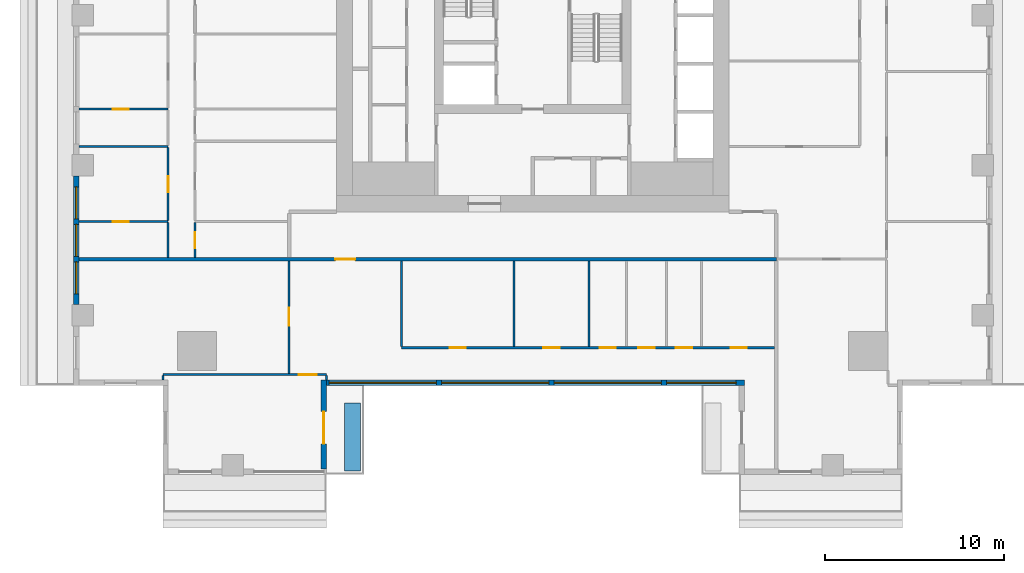
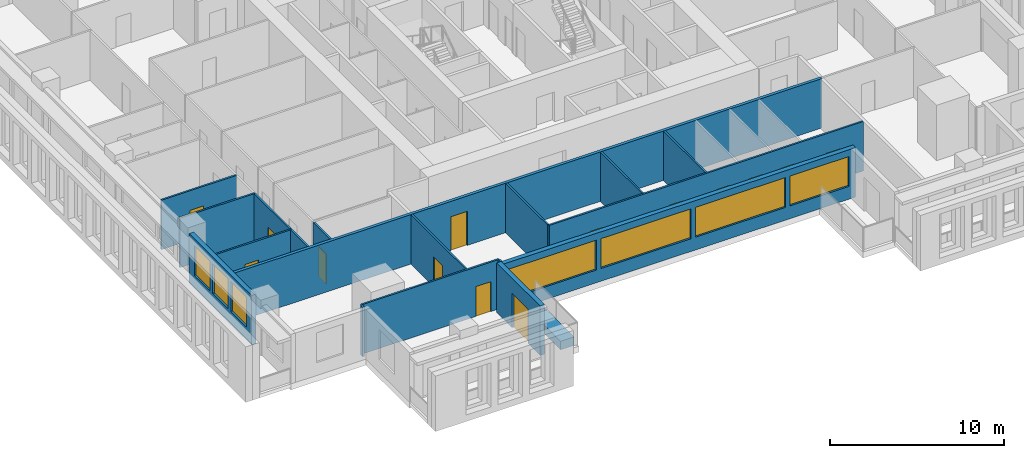
# One storey, part 2 of 14: 19 walls, 14 doors, 7 windows, 21 openings.
"""IFC4 building model written with IfcOpenShell, lengths in metres."""

from ifc_helpers import new_model, si_unit, direction, frame, frame_2d, origin, place, context, subcontext, project, spatial, rectangle, extrude, material, layer, layer_set, type_object, element, fill, save


model = new_model("IFC4")

# Units and contexts
model_context = context("Model", 3, precision=1e-05, world=origin(), true_north=direction((0.0, 1.0)))
body_context = subcontext(model_context, "Body", "Model", "MODEL_VIEW")
ifc_project = project(units=[si_unit("LENGTHUNIT", "METRE"), si_unit("AREAUNIT", "SQUARE_METRE"), si_unit("VOLUMEUNIT", "CUBIC_METRE"), si_unit("PLANEANGLEUNIT", "RADIAN"), si_unit("MASSUNIT", "GRAM", prefix="KILO")], contexts=[model_context])

# Site, building, storey
site_placement = place(None, origin())
site = spatial("IfcSite", under=ifc_project, at=site_placement, CompositionType="ELEMENT")
building_placement = place(site_placement, origin())
building = spatial("IfcBuilding", under=site, at=building_placement, Name="Khepri Terraces", CompositionType="ELEMENT")
storey_placement = place(building_placement, frame((0.0, 0.0, 271.800048828125)))
storey = spatial("IfcBuildingStorey", under=building, at=storey_placement, Name="L65", CompositionType="ELEMENT", Elevation=271.800048828125)

# Wall, opening, door
ifc_material_1 = material(Name="Fire-rated gypsum plasterboard partition, mineral wool")
ifc_layer_1 = layer(ifc_material_1, 0.199951171875, Name="Fire-rated gypsum plasterboard partition, mineral wool")
ifc_layer_set_1 = layer_set([ifc_layer_1], Name="Fire-rated gypsum plasterboard partition, mineral wool")
wall_type_1 = type_object("IfcWallType", Name="WL-CORR-200", PredefinedType="PARTITIONING", material=ifc_layer_set_1)
wall_1_placement = place(storey_placement, frame((-25.419921875, -13.64990234375, 0.0), z_axis=(0.0, 0.0, 1.0), x_axis=(1.0, 0.0, 0.0)))
wall_1 = element("IfcWall", 1, at=wall_1_placement, inside=storey, type_object=wall_type_1, Name="Partition P-016 L65", PredefinedType="PARTITIONING", context=body_context, shape_type="SweptSolid", body=[
    extrude(rectangle(XDim=39.06982421875, YDim=0.199951171875, at=frame_2d((19.534912109375, 0.0))), origin(), (0.0, 0.0, 1.0), 3.47998046875),
])
opening_1_placement = place(wall_1_placement, frame((14.3701171875, 0.0, 0.0)))
opening_1 = element("IfcOpeningElement", 2, at=opening_1_placement, cuts=wall_1, Name="Opening D1", PredefinedType="OPENING", context=body_context, shape_type="SweptSolid", body=[
    extrude(rectangle(XDim=1.10009765625, YDim=2.39990234375, at=frame_2d((0.550048828125, 1.199951171875))), frame((0.0, 0.10986328125, 0.0), z_axis=(0.0, -1.0, 0.0), x_axis=(1.0, 0.0, 0.0)), (0.0, 0.0, 1.0), 0.219970703125),
])
ifc_material_2 = material(Name="Solid-core timber door leaf, flat entrance door", Category="wood")
door_type_1 = type_object("IfcDoorType", Name="DR-ENT-1100", OperationType="NOTDEFINED", PredefinedType="DOOR", material=ifc_material_2)
door_1_placement = place(opening_1_placement, frame((1.10009765625, 0.0, 0.0), z_axis=(0.0, 0.0, 1.0), x_axis=(-1.0, 0.0, 0.0)))
door_1 = element("IfcDoor", 3, at=door_1_placement, inside=storey, type_object=door_type_1, Name="Flat A1 entrance door", OperationType="SINGLE_SWING_RIGHT", OverallHeight=2.39990234375, OverallWidth=1.10009765625, PredefinedType="DOOR", context=body_context, shape_type="SweptSolid", body=[
    extrude(rectangle(XDim=1.10009765625, YDim=2.39990234375, at=frame_2d((0.550048828125, 1.199951171875))), frame((0.0, 0.02490234375, 0.0), z_axis=(0.0, -1.0, 0.0), x_axis=(1.0, 0.0, 0.0)), (0.0, 0.0, 1.0), 0.050048828125),
])
fill(opening_1, door_1)

# Wall, openings, windows
ifc_material_3 = material(Name="Precast concrete C50/60 warm stone", Category="masonry")
ifc_layer_2 = layer(ifc_material_3, 0.300048828125, Name="Precast concrete C50/60 warm stone", Category="masonry")
ifc_layer_set_2 = layer_set([ifc_layer_2], Name="Precast concrete C50/60 warm stone")
wall_type_2 = type_object("IfcWallType", Name="WL-EXT-PRECAST-300", PredefinedType="STANDARD", material=ifc_layer_set_2)
wall_2_placement = place(storey_placement, frame((-25.570068359375, -9.0, 0.0), z_axis=(0.0, 0.0, 1.0), x_axis=(0.0, -1.0, 0.0)))
wall_2 = element("IfcWall", 4, at=wall_2_placement, inside=storey, type_object=wall_type_2, Name="External wall L65 W", PredefinedType="STANDARD", context=body_context, shape_type="SweptSolid", body=[
    extrude(rectangle(XDim=7.199951171875, YDim=0.300048828125, at=frame_2d((3.60009765625, 0.0))), origin(), (0.0, 0.0, 1.0), 3.47998046875),
])
opening_2_placement = place(wall_2_placement, frame((0.60009765625, 0.0, 0.89990234375)))
opening_2 = element("IfcOpeningElement", 5, at=opening_2_placement, cuts=wall_2, Name="Opening W1", PredefinedType="OPENING", context=body_context, shape_type="SweptSolid", body=[
    extrude(rectangle(XDim=1.800048828125, YDim=2.10009765625, at=frame_2d((0.89990234375, 1.050048828125))), frame((0.0, 0.16015625, 0.0), z_axis=(0.0, -1.0, 0.0), x_axis=(1.0, 0.0, 0.0)), (0.0, 0.0, 1.0), 0.320068359375),
])
opening_3_placement = place(wall_2_placement, frame((2.699951171875, 0.0, 0.89990234375)))
opening_3 = element("IfcOpeningElement", 6, at=opening_3_placement, cuts=wall_2, Name="Opening W1", PredefinedType="OPENING", context=body_context, shape_type="SweptSolid", body=[
    extrude(rectangle(XDim=1.800048828125, YDim=2.10009765625, at=frame_2d((0.89990234375, 1.050048828125))), frame((0.0, 0.16015625, 0.0), z_axis=(0.0, -1.0, 0.0), x_axis=(1.0, 0.0, 0.0)), (0.0, 0.0, 1.0), 0.320068359375),
])
opening_4_placement = place(wall_2_placement, frame((4.800048828125, 0.0, 0.89990234375)))
opening_4 = element("IfcOpeningElement", 7, at=opening_4_placement, cuts=wall_2, Name="Opening W1", PredefinedType="OPENING", context=body_context, shape_type="SweptSolid", body=[
    extrude(rectangle(XDim=1.800048828125, YDim=2.10009765625, at=frame_2d((0.89990234375, 1.050048828125))), frame((0.0, 0.16015625, 0.0), z_axis=(0.0, -1.0, 0.0), x_axis=(1.0, 0.0, 0.0)), (0.0, 0.0, 1.0), 0.320068359375),
])
ifc_material_4 = material(Name="Clear glass", Category="glass")
window_type_1 = type_object("IfcWindowType", Name="WIN-RES-1800x2100", PartitioningType="SINGLE_PANEL", PredefinedType="WINDOW", material=ifc_material_4)
window_1_placement = place(opening_2_placement, origin())
window_1 = element("IfcWindow", 8, at=window_1_placement, inside=storey, type_object=window_type_1, Name="Window L65 W", OverallHeight=2.10009765625, OverallWidth=1.800048828125, PartitioningType="SINGLE_PANEL", PredefinedType="WINDOW", context=body_context, shape_type="SweptSolid", body=[
    extrude(rectangle(XDim=1.800048828125, YDim=2.10009765625, at=frame_2d((0.89990234375, 1.050048828125))), frame((0.0, 0.030029296875, 0.0), z_axis=(0.0, -1.0, 0.0), x_axis=(1.0, 0.0, 0.0)), (0.0, 0.0, 1.0), 0.06005859375),
])
fill(opening_2, window_1)
window_2_placement = place(opening_3_placement, origin())
window_2 = element("IfcWindow", 9, at=window_2_placement, inside=storey, type_object=window_type_1, Name="Window L65 W", OverallHeight=2.10009765625, OverallWidth=1.800048828125, PartitioningType="SINGLE_PANEL", PredefinedType="WINDOW", context=body_context, shape_type="SweptSolid", body=[
    extrude(rectangle(XDim=1.800048828125, YDim=2.10009765625, at=frame_2d((0.89990234375, 1.050048828125))), frame((0.0, 0.030029296875, 0.0), z_axis=(0.0, -1.0, 0.0), x_axis=(1.0, 0.0, 0.0)), (0.0, 0.0, 1.0), 0.06005859375),
])
fill(opening_3, window_2)
window_3_placement = place(opening_4_placement, origin())
window_3 = element("IfcWindow", 10, at=window_3_placement, inside=storey, type_object=window_type_1, Name="Window L65 W", OverallHeight=2.10009765625, OverallWidth=1.800048828125, PartitioningType="SINGLE_PANEL", PredefinedType="WINDOW", context=body_context, shape_type="SweptSolid", body=[
    extrude(rectangle(XDim=1.800048828125, YDim=2.10009765625, at=frame_2d((0.89990234375, 1.050048828125))), frame((0.0, 0.030029296875, 0.0), z_axis=(0.0, -1.0, 0.0), x_axis=(1.0, 0.0, 0.0)), (0.0, 0.0, 1.0), 0.06005859375),
])
fill(opening_4, window_3)

# Wall, opening, door
wall_3_placement = place(storey_placement, frame((-11.699951171875, -25.419921875, 0.0), z_axis=(0.0, 0.0, 1.0), x_axis=(0.0, 1.0, 0.0)))
wall_3 = element("IfcWall", 11, at=wall_3_placement, inside=storey, type_object=wall_type_2, Name="External wall L65 E", PredefinedType="STANDARD", context=body_context, shape_type="SweptSolid", body=[
    extrude(rectangle(XDim=5.0, YDim=0.300048828125, at=frame_2d((2.5, 0.0))), origin(), (0.0, 0.0, 1.0), 3.47998046875),
])
opening_5_placement = place(wall_3_placement, frame((1.419921875, 0.0, 0.0)))
opening_5 = element("IfcOpeningElement", 12, at=opening_5_placement, cuts=wall_3, Name="Opening ED-L65-17", PredefinedType="OPENING", context=body_context, shape_type="SweptSolid", body=[
    extrude(rectangle(XDim=1.800048828125, YDim=2.39990234375, at=frame_2d((0.89990234375, 1.199951171875))), frame((0.0, 0.16015625, 0.0), z_axis=(0.0, -1.0, 0.0), x_axis=(1.0, 0.0, 0.0)), (0.0, 0.0, 1.0), 0.320068359375),
])
ifc_material_5 = material(Name="Anodised aluminium bronze glazed door", Category="aluminium")
door_type_2 = type_object("IfcDoorType", Name="DR-BAL-SLIDE-1800x2400", OperationType="NOTDEFINED", PredefinedType="DOOR", material=ifc_material_5)
door_2_placement = place(opening_5_placement, origin())
door_2 = element("IfcDoor", 13, at=door_2_placement, inside=storey, type_object=door_type_2, Name="Balcony door L65 E", OperationType="SLIDING_TO_LEFT", OverallHeight=2.39990234375, OverallWidth=1.800048828125, PredefinedType="DOOR", context=body_context, shape_type="SweptSolid", body=[
    extrude(rectangle(XDim=1.800048828125, YDim=2.39990234375, at=frame_2d((0.89990234375, 1.199951171875))), frame((0.0, 0.02490234375, 0.0), z_axis=(0.0, -1.0, 0.0), x_axis=(1.0, 0.0, 0.0)), (0.0, 0.0, 1.0), 0.050048828125),
])
fill(opening_5, door_2)

# Wall, openings, windows
wall_4_placement = place(storey_placement, frame((-11.550048828125, -20.570068359375, 0.0), z_axis=(0.0, 0.0, 1.0), x_axis=(1.0, 0.0, 0.0)))
wall_4 = element("IfcWall", 14, at=wall_4_placement, inside=storey, type_object=wall_type_2, Name="External wall L65 S", PredefinedType="STANDARD", context=body_context, shape_type="SweptSolid", body=[
    extrude(rectangle(XDim=23.400146484375, YDim=0.300048828125, at=frame_2d((11.7001953125, 0.0))), origin(), (0.0, 0.0, 1.0), 3.47998046875),
])
opening_6_placement = place(wall_4_placement, frame((0.14990234375, 0.0, 0.89990234375)))
opening_6 = element("IfcOpeningElement", 15, at=opening_6_placement, cuts=wall_4, Name="Opening W3", PredefinedType="OPENING", context=body_context, shape_type="SweptSolid", body=[
    extrude(rectangle(XDim=6.0, YDim=2.10009765625, at=frame_2d((3.0, 1.050048828125))), frame((0.0, 0.16015625, 0.0), z_axis=(0.0, -1.0, 0.0), x_axis=(1.0, 0.0, 0.0)), (0.0, 0.0, 1.0), 0.320068359375),
])
opening_7_placement = place(wall_4_placement, frame((6.449951171875, 0.0, 0.89990234375)))
opening_7 = element("IfcOpeningElement", 16, at=opening_7_placement, cuts=wall_4, Name="Opening W3", PredefinedType="OPENING", context=body_context, shape_type="SweptSolid", body=[
    extrude(rectangle(XDim=6.0, YDim=2.10009765625, at=frame_2d((3.0, 1.050048828125))), frame((0.0, 0.16015625, 0.0), z_axis=(0.0, -1.0, 0.0), x_axis=(1.0, 0.0, 0.0)), (0.0, 0.0, 1.0), 0.320068359375),
])
opening_8_placement = place(wall_4_placement, frame((12.75, 0.0, 0.89990234375)))
opening_8 = element("IfcOpeningElement", 17, at=opening_8_placement, cuts=wall_4, Name="Opening W3", PredefinedType="OPENING", context=body_context, shape_type="SweptSolid", body=[
    extrude(rectangle(XDim=6.0, YDim=2.10009765625, at=frame_2d((3.0, 1.050048828125))), frame((0.0, 0.16015625, 0.0), z_axis=(0.0, -1.0, 0.0), x_axis=(1.0, 0.0, 0.0)), (0.0, 0.0, 1.0), 0.320068359375),
])
opening_9_placement = place(wall_4_placement, frame((19.050048828125, 0.0, 0.89990234375)))
opening_9 = element("IfcOpeningElement", 18, at=opening_9_placement, cuts=wall_4, Name="Opening W2", PredefinedType="OPENING", context=body_context, shape_type="SweptSolid", body=[
    extrude(rectangle(XDim=3.89990234375, YDim=2.10009765625, at=frame_2d((1.949951171875, 1.050048828125))), frame((0.0, 0.16015625, 0.0), z_axis=(0.0, -1.0, 0.0), x_axis=(1.0, 0.0, 0.0)), (0.0, 0.0, 1.0), 0.320068359375),
])
window_type_2 = type_object("IfcWindowType", Name="WIN-RES-3900x2100", PartitioningType="SINGLE_PANEL", PredefinedType="WINDOW", material=ifc_material_4)
window_4_placement = place(opening_9_placement, origin())
window_4 = element("IfcWindow", 19, at=window_4_placement, inside=storey, type_object=window_type_2, Name="Window L65 S", OverallHeight=2.10009765625, OverallWidth=3.89990234375, PartitioningType="SINGLE_PANEL", PredefinedType="WINDOW", context=body_context, shape_type="SweptSolid", body=[
    extrude(rectangle(XDim=3.89990234375, YDim=2.10009765625, at=frame_2d((1.949951171875, 1.050048828125))), frame((0.0, 0.030029296875, 0.0), z_axis=(0.0, -1.0, 0.0), x_axis=(1.0, 0.0, 0.0)), (0.0, 0.0, 1.0), 0.06005859375),
])
fill(opening_9, window_4)
window_type_3 = type_object("IfcWindowType", Name="WIN-RES-6000x2100", PartitioningType="SINGLE_PANEL", PredefinedType="WINDOW", material=ifc_material_4)
window_5_placement = place(opening_6_placement, origin())
window_5 = element("IfcWindow", 20, at=window_5_placement, inside=storey, type_object=window_type_3, Name="Window L65 S", OverallHeight=2.10009765625, OverallWidth=6.0, PartitioningType="SINGLE_PANEL", PredefinedType="WINDOW", context=body_context, shape_type="SweptSolid", body=[
    extrude(rectangle(XDim=6.0, YDim=2.10009765625, at=frame_2d((3.0, 1.050048828125))), frame((0.0, 0.030029296875, 0.0), z_axis=(0.0, -1.0, 0.0), x_axis=(1.0, 0.0, 0.0)), (0.0, 0.0, 1.0), 0.06005859375),
])
fill(opening_6, window_5)
window_6_placement = place(opening_7_placement, origin())
window_6 = element("IfcWindow", 21, at=window_6_placement, inside=storey, type_object=window_type_3, Name="Window L65 S", OverallHeight=2.10009765625, OverallWidth=6.0, PartitioningType="SINGLE_PANEL", PredefinedType="WINDOW", context=body_context, shape_type="SweptSolid", body=[
    extrude(rectangle(XDim=6.0, YDim=2.10009765625, at=frame_2d((3.0, 1.050048828125))), frame((0.0, 0.030029296875, 0.0), z_axis=(0.0, -1.0, 0.0), x_axis=(1.0, 0.0, 0.0)), (0.0, 0.0, 1.0), 0.06005859375),
])
fill(opening_7, window_6)
window_7_placement = place(opening_8_placement, origin())
window_7 = element("IfcWindow", 22, at=window_7_placement, inside=storey, type_object=window_type_3, Name="Window L65 S", OverallHeight=2.10009765625, OverallWidth=6.0, PartitioningType="SINGLE_PANEL", PredefinedType="WINDOW", context=body_context, shape_type="SweptSolid", body=[
    extrude(rectangle(XDim=6.0, YDim=2.10009765625, at=frame_2d((3.0, 1.050048828125))), frame((0.0, 0.030029296875, 0.0), z_axis=(0.0, -1.0, 0.0), x_axis=(1.0, 0.0, 0.0)), (0.0, 0.0, 1.0), 0.06005859375),
])
fill(opening_8, window_7)

# Walls
ifc_material_6 = material(Name="Gypsum plasterboard partition")
ifc_layer_3 = layer(ifc_material_6, 0.1201171875, Name="Gypsum plasterboard partition")
ifc_layer_set_3 = layer_set([ifc_layer_3], Name="Gypsum plasterboard partition")
wall_type_3 = type_object("IfcWallType", Name="WL-PART-120", PredefinedType="PARTITIONING", material=ifc_layer_set_3)
wall_5_placement = place(storey_placement, frame((-20.718994140625, -20.4208984375, 0.0), z_axis=(0.0, 0.0, 1.0), x_axis=(0.0, 1.0, 0.0)))
element("IfcWall", 23, at=wall_5_placement, inside=storey, type_object=wall_type_3, Name="Partition P-002 L65", PredefinedType="PARTITIONING", context=body_context, shape_type="SweptSolid", body=[
    extrude(rectangle(XDim=0.240966796875, YDim=0.1201171875, at=frame_2d((0.12060546875, 0.0))), origin(), (0.0, 0.0, 1.0), 3.47998046875),
])
wall_6_placement = place(storey_placement, frame((-11.550048828125, -20.419921875, 0.0), z_axis=(0.0, 0.0, 1.0), x_axis=(0.0, 1.0, 0.0)))
element("IfcWall", 24, at=wall_6_placement, inside=storey, type_object=wall_type_3, Name="Partition P-003 L65", PredefinedType="PARTITIONING", context=body_context, shape_type="SweptSolid", body=[
    extrude(rectangle(XDim=0.239990234375, YDim=0.1201171875, at=frame_2d((0.1201171875, 0.0))), origin(), (0.0, 0.0, 1.0), 3.47998046875),
])

# Wall, opening, door
wall_7_placement = place(storey_placement, frame((-20.718994140625, -20.1201171875, 0.0), z_axis=(0.0, 0.0, 1.0), x_axis=(1.0, 0.0, 0.0)))
wall_7 = element("IfcWall", 25, at=wall_7_placement, inside=storey, type_object=wall_type_3, Name="Partition P-006 L65", PredefinedType="PARTITIONING", context=body_context, shape_type="SweptSolid", body=[
    extrude(rectangle(XDim=9.1689453125, YDim=0.1201171875, at=frame_2d((4.58447265625, 0.0))), origin(), (0.0, 0.0, 1.0), 3.47998046875),
])
opening_10_placement = place(wall_7_placement, frame((7.618896484375, 0.0, 0.0)))
opening_10 = element("IfcOpeningElement", 26, at=opening_10_placement, cuts=wall_7, Name="Opening D2", PredefinedType="OPENING", context=body_context, shape_type="SweptSolid", body=[
    extrude(rectangle(XDim=1.0, YDim=2.10009765625, at=frame_2d((0.5, 1.050048828125))), frame((0.0, 0.070068359375, 0.0), z_axis=(0.0, -1.0, 0.0), x_axis=(1.0, 0.0, 0.0)), (0.0, 0.0, 1.0), 0.14013671875),
])
ifc_material_7 = material(Name="Timber door leaf, living room door", Category="wood")
door_type_3 = type_object("IfcDoorType", Name="DR-INT-1000", OperationType="NOTDEFINED", PredefinedType="DOOR", material=ifc_material_7)
door_3_placement = place(opening_10_placement, frame((1.0, 0.0, 0.0), z_axis=(0.0, 0.0, 1.0), x_axis=(-1.0, 0.0, 0.0)))
door_3 = element("IfcDoor", 27, at=door_3_placement, inside=storey, type_object=door_type_3, Name="Door Living Room", OperationType="SINGLE_SWING_LEFT", OverallHeight=2.10009765625, OverallWidth=1.0, PredefinedType="DOOR", context=body_context, shape_type="SweptSolid", body=[
    extrude(rectangle(XDim=1.0, YDim=2.10009765625, at=frame_2d((0.5, 1.050048828125))), frame((0.0, 0.02490234375, 0.0), z_axis=(0.0, -1.0, 0.0), x_axis=(1.0, 0.0, 0.0)), (0.0, 0.0, 1.0), 0.050048828125),
])
fill(opening_10, door_3)

wall_8_placement = place(storey_placement, frame((-13.64990234375, -20.06005859375, 0.0), z_axis=(0.0, 0.0, 1.0), x_axis=(0.0, 1.0, 0.0)))
wall_8 = element("IfcWall", 28, at=wall_8_placement, inside=storey, type_object=wall_type_3, Name="Partition P-007 L65", PredefinedType="PARTITIONING", context=body_context, shape_type="SweptSolid", body=[
    extrude(rectangle(XDim=6.31005859375, YDim=0.1201171875, at=frame_2d((3.155029296875, 0.0))), origin(), (0.0, 0.0, 1.0), 3.47998046875),
])
opening_11_placement = place(wall_8_placement, frame((2.675048828125, 0.0, 0.0)))
opening_11 = element("IfcOpeningElement", 29, at=opening_11_placement, cuts=wall_8, Name="Opening D2", PredefinedType="OPENING", context=body_context, shape_type="SweptSolid", body=[
    extrude(rectangle(XDim=1.0, YDim=2.10009765625, at=frame_2d((0.5, 1.050048828125))), frame((0.0, 0.070068359375, 0.0), z_axis=(0.0, -1.0, 0.0), x_axis=(1.0, 0.0, 0.0)), (0.0, 0.0, 1.0), 0.14013671875),
])
door_4_placement = place(opening_11_placement, origin())
door_4 = element("IfcDoor", 30, at=door_4_placement, inside=storey, type_object=door_type_3, Name="Door Family Room", OperationType="SINGLE_SWING_RIGHT", OverallHeight=2.10009765625, OverallWidth=1.0, PredefinedType="DOOR", context=body_context, shape_type="SweptSolid", body=[
    extrude(rectangle(XDim=1.0, YDim=2.10009765625, at=frame_2d((0.5, 1.050048828125))), frame((0.0, 0.02490234375, 0.0), z_axis=(0.0, -1.0, 0.0), x_axis=(1.0, 0.0, 0.0)), (0.0, 0.0, 1.0), 0.050048828125),
])
fill(opening_11, door_4)

# Wall, openings, doors
wall_9_placement = place(storey_placement, frame((-7.35009765625, -18.6201171875, 0.0), z_axis=(0.0, 0.0, 1.0), x_axis=(1.0, 0.0, 0.0)))
wall_9 = element("IfcWall", 31, at=wall_9_placement, inside=storey, type_object=wall_type_3, Name="Partition P-008 L65", PredefinedType="PARTITIONING", context=body_context, shape_type="SweptSolid", body=[
    extrude(rectangle(XDim=20.900146484375, YDim=0.1201171875, at=frame_2d((10.4501953125, 0.0))), origin(), (0.0, 0.0, 1.0), 3.47998046875),
])
opening_12_placement = place(wall_9_placement, frame((2.699951171875, 0.0, 0.0)))
opening_12 = element("IfcOpeningElement", 32, at=opening_12_placement, cuts=wall_9, Name="Opening D3", PredefinedType="OPENING", context=body_context, shape_type="SweptSolid", body=[
    extrude(rectangle(XDim=0.89990234375, YDim=2.10009765625, at=frame_2d((0.449951171875, 1.050048828125))), frame((0.0, 0.070068359375, 0.0), z_axis=(0.0, -1.0, 0.0), x_axis=(1.0, 0.0, 0.0)), (0.0, 0.0, 1.0), 0.14013671875),
])
opening_13_placement = place(wall_9_placement, frame((7.949951171875, 0.0, 0.0)))
opening_13 = element("IfcOpeningElement", 33, at=opening_13_placement, cuts=wall_9, Name="Opening D3", PredefinedType="OPENING", context=body_context, shape_type="SweptSolid", body=[
    extrude(rectangle(XDim=0.89990234375, YDim=2.10009765625, at=frame_2d((0.449951171875, 1.050048828125))), frame((0.0, 0.070068359375, 0.0), z_axis=(0.0, -1.0, 0.0), x_axis=(1.0, 0.0, 0.0)), (0.0, 0.0, 1.0), 0.14013671875),
])
opening_14_placement = place(wall_9_placement, frame((11.10009765625, 0.0, 0.0)))
opening_14 = element("IfcOpeningElement", 34, at=opening_14_placement, cuts=wall_9, Name="Opening D3", PredefinedType="OPENING", context=body_context, shape_type="SweptSolid", body=[
    extrude(rectangle(XDim=0.89990234375, YDim=2.10009765625, at=frame_2d((0.449951171875, 1.050048828125))), frame((0.0, 0.070068359375, 0.0), z_axis=(0.0, -1.0, 0.0), x_axis=(1.0, 0.0, 0.0)), (0.0, 0.0, 1.0), 0.14013671875),
])
opening_15_placement = place(wall_9_placement, frame((13.27490234375, 0.0, 0.0)))
opening_15 = element("IfcOpeningElement", 35, at=opening_15_placement, cuts=wall_9, Name="Opening D4", PredefinedType="OPENING", context=body_context, shape_type="SweptSolid", body=[
    extrude(rectangle(XDim=0.89990234375, YDim=2.10009765625, at=frame_2d((0.449951171875, 1.050048828125))), frame((0.0, 0.070068359375, 0.0), z_axis=(0.0, -1.0, 0.0), x_axis=(1.0, 0.0, 0.0)), (0.0, 0.0, 1.0), 0.14013671875),
])
opening_16_placement = place(wall_9_placement, frame((15.375, 0.0, 0.0)))
opening_16 = element("IfcOpeningElement", 36, at=opening_16_placement, cuts=wall_9, Name="Opening D4", PredefinedType="OPENING", context=body_context, shape_type="SweptSolid", body=[
    extrude(rectangle(XDim=0.89990234375, YDim=2.10009765625, at=frame_2d((0.449951171875, 1.050048828125))), frame((0.0, 0.070068359375, 0.0), z_axis=(0.0, -1.0, 0.0), x_axis=(1.0, 0.0, 0.0)), (0.0, 0.0, 1.0), 0.14013671875),
])
opening_17_placement = place(wall_9_placement, frame((18.449951171875, 0.0, 0.0)))
opening_17 = element("IfcOpeningElement", 37, at=opening_17_placement, cuts=wall_9, Name="Opening D3", PredefinedType="OPENING", context=body_context, shape_type="SweptSolid", body=[
    extrude(rectangle(XDim=0.89990234375, YDim=2.10009765625, at=frame_2d((0.449951171875, 1.050048828125))), frame((0.0, 0.070068359375, 0.0), z_axis=(0.0, -1.0, 0.0), x_axis=(1.0, 0.0, 0.0)), (0.0, 0.0, 1.0), 0.14013671875),
])
ifc_material_8 = material(Name="Timber door leaf", Category="wood")
door_type_4 = type_object("IfcDoorType", Name="DR-INT-900", OperationType="NOTDEFINED", PredefinedType="DOOR", material=ifc_material_8)
door_5_placement = place(opening_12_placement, origin())
door_5 = element("IfcDoor", 38, at=door_5_placement, inside=storey, type_object=door_type_4, Name="Door Kitchen", OperationType="SINGLE_SWING_LEFT", OverallHeight=2.10009765625, OverallWidth=0.89990234375, PredefinedType="DOOR", context=body_context, shape_type="SweptSolid", body=[
    extrude(rectangle(XDim=0.89990234375, YDim=2.10009765625, at=frame_2d((0.449951171875, 1.050048828125))), frame((0.0, 0.02490234375, 0.0), z_axis=(0.0, -1.0, 0.0), x_axis=(1.0, 0.0, 0.0)), (0.0, 0.0, 1.0), 0.050048828125),
])
fill(opening_12, door_5)
door_6_placement = place(opening_13_placement, origin())
door_6 = element("IfcDoor", 39, at=door_6_placement, inside=storey, type_object=door_type_4, Name="Door Service Store", OperationType="SINGLE_SWING_LEFT", OverallHeight=2.10009765625, OverallWidth=0.89990234375, PredefinedType="DOOR", context=body_context, shape_type="SweptSolid", body=[
    extrude(rectangle(XDim=0.89990234375, YDim=2.10009765625, at=frame_2d((0.449951171875, 1.050048828125))), frame((0.0, 0.02490234375, 0.0), z_axis=(0.0, -1.0, 0.0), x_axis=(1.0, 0.0, 0.0)), (0.0, 0.0, 1.0), 0.050048828125),
])
fill(opening_13, door_6)
door_7_placement = place(opening_14_placement, origin())
door_7 = element("IfcDoor", 40, at=door_7_placement, inside=storey, type_object=door_type_4, Name="Door Utility Room", OperationType="SINGLE_SWING_RIGHT", OverallHeight=2.10009765625, OverallWidth=0.89990234375, PredefinedType="DOOR", context=body_context, shape_type="SweptSolid", body=[
    extrude(rectangle(XDim=0.89990234375, YDim=2.10009765625, at=frame_2d((0.449951171875, 1.050048828125))), frame((0.0, 0.02490234375, 0.0), z_axis=(0.0, -1.0, 0.0), x_axis=(1.0, 0.0, 0.0)), (0.0, 0.0, 1.0), 0.050048828125),
])
fill(opening_14, door_7)
door_8_placement = place(opening_17_placement, origin())
door_8 = element("IfcDoor", 41, at=door_8_placement, inside=storey, type_object=door_type_4, Name="Door Staff Bedroom", OperationType="SINGLE_SWING_RIGHT", OverallHeight=2.10009765625, OverallWidth=0.89990234375, PredefinedType="DOOR", context=body_context, shape_type="SweptSolid", body=[
    extrude(rectangle(XDim=0.89990234375, YDim=2.10009765625, at=frame_2d((0.449951171875, 1.050048828125))), frame((0.0, 0.02490234375, 0.0), z_axis=(0.0, -1.0, 0.0), x_axis=(1.0, 0.0, 0.0)), (0.0, 0.0, 1.0), 0.050048828125),
])
fill(opening_17, door_8)
ifc_material_9 = material(Name="Timber door leaf, moisture resistant", Category="wood")
door_type_5 = type_object("IfcDoorType", Name="DR-WET-900", OperationType="NOTDEFINED", PredefinedType="DOOR", material=ifc_material_9)
door_9_placement = place(opening_15_placement, origin())
door_9 = element("IfcDoor", 42, at=door_9_placement, inside=storey, type_object=door_type_5, Name="Door Powder Room", OperationType="SINGLE_SWING_RIGHT", OverallHeight=2.10009765625, OverallWidth=0.89990234375, PredefinedType="DOOR", context=body_context, shape_type="SweptSolid", body=[
    extrude(rectangle(XDim=0.89990234375, YDim=2.10009765625, at=frame_2d((0.449951171875, 1.050048828125))), frame((0.0, 0.02490234375, 0.0), z_axis=(0.0, -1.0, 0.0), x_axis=(1.0, 0.0, 0.0)), (0.0, 0.0, 1.0), 0.050048828125),
])
fill(opening_15, door_9)
door_10_placement = place(opening_16_placement, origin())
door_10 = element("IfcDoor", 43, at=door_10_placement, inside=storey, type_object=door_type_5, Name="Door Guest Bathroom", OperationType="SINGLE_SWING_RIGHT", OverallHeight=2.10009765625, OverallWidth=0.89990234375, PredefinedType="DOOR", context=body_context, shape_type="SweptSolid", body=[
    extrude(rectangle(XDim=0.89990234375, YDim=2.10009765625, at=frame_2d((0.449951171875, 1.050048828125))), frame((0.0, 0.02490234375, 0.0), z_axis=(0.0, -1.0, 0.0), x_axis=(1.0, 0.0, 0.0)), (0.0, 0.0, 1.0), 0.050048828125),
])
fill(opening_16, door_10)

# Walls
for number, where, z_axis, x_axis, name in (
    (44, (-7.35009765625, -18.56005859375, 0.0), (0.0, 0.0, 1.0), (0.0, 1.0, 0.0), "Partition P-009 L65"),
    (45, (-1.050048828125, -18.56005859375, 0.0), (0.0, 0.0, 1.0), (0.0, 1.0, 0.0), "Partition P-010 L65"),
    (46, (3.14990234375, -18.56005859375, 0.0), (0.0, 0.0, 1.0), (0.0, 1.0, 0.0), "Partition P-011 L65"),
):
    element("IfcWall", number, at=place(storey_placement, frame(where, z_axis=z_axis, x_axis=x_axis)), inside=storey, type_object=wall_type_3, Name=name, PredefinedType="PARTITIONING", context=body_context, shape_type="SweptSolid", body=[
        extrude(rectangle(XDim=4.81005859375, YDim=0.1201171875, at=frame_2d((2.405029296875, 0.0))), origin(), (0.0, 0.0, 1.0), 3.47998046875),
    ])
wall_10_placement = place(storey_placement, frame((-20.419921875, -13.550048828125, 0.0), z_axis=(0.0, 0.0, 1.0), x_axis=(0.0, 1.0, 0.0)))
element("IfcWall", 47, at=wall_10_placement, inside=storey, type_object=wall_type_3, Name="Partition P-019 L65", PredefinedType="PARTITIONING", context=body_context, shape_type="SweptSolid", body=[
    extrude(rectangle(XDim=1.93994140625, YDim=0.1201171875, at=frame_2d((0.969970703125, 0.0))), origin(), (0.0, 0.0, 1.0), 3.47998046875),
])

# Wall, opening, door
wall_11_placement = place(storey_placement, frame((-18.919921875, -13.550048828125, 0.0), z_axis=(0.0, 0.0, 1.0), x_axis=(0.0, 1.0, 0.0)))
wall_11 = element("IfcWall", 48, at=wall_11_placement, inside=storey, type_object=wall_type_3, Name="Partition P-020 L65", PredefinedType="PARTITIONING", context=body_context, shape_type="SweptSolid", body=[
    extrude(rectangle(XDim=1.93994140625, YDim=0.1201171875, at=frame_2d((0.969970703125, 0.0))), origin(), (0.0, 0.0, 1.0), 3.47998046875),
])
opening_18_placement = place(wall_11_placement, frame((0.5, 0.0, 0.0)))
opening_18 = element("IfcOpeningElement", 49, at=opening_18_placement, cuts=wall_11, Name="Opening D3", PredefinedType="OPENING", context=body_context, shape_type="SweptSolid", body=[
    extrude(rectangle(XDim=0.89990234375, YDim=2.10009765625, at=frame_2d((0.449951171875, 1.050048828125))), frame((0.0, 0.070068359375, 0.0), z_axis=(0.0, -1.0, 0.0), x_axis=(1.0, 0.0, 0.0)), (0.0, 0.0, 1.0), 0.14013671875),
])
door_11_placement = place(opening_18_placement, frame((0.89990234375, 0.0, 0.0), z_axis=(0.0, 0.0, 1.0), x_axis=(-1.0, 0.0, 0.0)))
door_11 = element("IfcDoor", 50, at=door_11_placement, inside=storey, type_object=door_type_4, Name="Door Utility Room", OperationType="SINGLE_SWING_RIGHT", OverallHeight=2.10009765625, OverallWidth=0.89990234375, PredefinedType="DOOR", context=body_context, shape_type="SweptSolid", body=[
    extrude(rectangle(XDim=0.89990234375, YDim=2.10009765625, at=frame_2d((0.449951171875, 1.050048828125))), frame((0.0, 0.02490234375, 0.0), z_axis=(0.0, -1.0, 0.0), x_axis=(1.0, 0.0, 0.0)), (0.0, 0.0, 1.0), 0.050048828125),
])
fill(opening_18, door_11)

wall_12_placement = place(storey_placement, frame((-25.419921875, -11.550048828125, 0.0), z_axis=(0.0, 0.0, 1.0), x_axis=(1.0, 0.0, 0.0)))
wall_12 = element("IfcWall", 51, at=wall_12_placement, inside=storey, type_object=wall_type_3, Name="Partition P-023 L65", PredefinedType="PARTITIONING", context=body_context, shape_type="SweptSolid", body=[
    extrude(rectangle(XDim=5.0, YDim=0.1201171875, at=frame_2d((2.5, 0.0))), origin(), (0.0, 0.0, 1.0), 3.47998046875),
])
opening_19_placement = place(wall_12_placement, frame((1.89990234375, 0.0, 0.0)))
opening_19 = element("IfcOpeningElement", 52, at=opening_19_placement, cuts=wall_12, Name="Opening D4", PredefinedType="OPENING", context=body_context, shape_type="SweptSolid", body=[
    extrude(rectangle(XDim=0.89990234375, YDim=2.10009765625, at=frame_2d((0.449951171875, 1.050048828125))), frame((0.0, 0.070068359375, 0.0), z_axis=(0.0, -1.0, 0.0), x_axis=(1.0, 0.0, 0.0)), (0.0, 0.0, 1.0), 0.14013671875),
])
door_12_placement = place(opening_19_placement, frame((0.89990234375, 0.0, 0.0), z_axis=(0.0, 0.0, 1.0), x_axis=(-1.0, 0.0, 0.0)))
door_12 = element("IfcDoor", 53, at=door_12_placement, inside=storey, type_object=door_type_5, Name="Door Bathroom", OperationType="SINGLE_SWING_RIGHT", OverallHeight=2.10009765625, OverallWidth=0.89990234375, PredefinedType="DOOR", context=body_context, shape_type="SweptSolid", body=[
    extrude(rectangle(XDim=0.89990234375, YDim=2.10009765625, at=frame_2d((0.449951171875, 1.050048828125))), frame((0.0, 0.02490234375, 0.0), z_axis=(0.0, -1.0, 0.0), x_axis=(1.0, 0.0, 0.0)), (0.0, 0.0, 1.0), 0.050048828125),
])
fill(opening_19, door_12)

wall_13_placement = place(storey_placement, frame((-20.419921875, -11.489990234375, 0.0), z_axis=(0.0, 0.0, 1.0), x_axis=(0.0, 1.0, 0.0)))
wall_13 = element("IfcWall", 54, at=wall_13_placement, inside=storey, type_object=wall_type_3, Name="Partition P-026 L65", PredefinedType="PARTITIONING", context=body_context, shape_type="SweptSolid", body=[
    extrude(rectangle(XDim=4.080078125, YDim=0.1201171875, at=frame_2d((2.0400390625, 0.0))), origin(), (0.0, 0.0, 1.0), 3.47998046875),
])
opening_20_placement = place(wall_13_placement, frame((1.590087890625, 0.0, 0.0)))
opening_20 = element("IfcOpeningElement", 55, at=opening_20_placement, cuts=wall_13, Name="Opening D3", PredefinedType="OPENING", context=body_context, shape_type="SweptSolid", body=[
    extrude(rectangle(XDim=0.89990234375, YDim=2.10009765625, at=frame_2d((0.449951171875, 1.050048828125))), frame((0.0, 0.070068359375, 0.0), z_axis=(0.0, -1.0, 0.0), x_axis=(1.0, 0.0, 0.0)), (0.0, 0.0, 1.0), 0.14013671875),
])
door_13_placement = place(opening_20_placement, origin())
door_13 = element("IfcDoor", 56, at=door_13_placement, inside=storey, type_object=door_type_4, Name="Door Bedroom", OperationType="SINGLE_SWING_RIGHT", OverallHeight=2.10009765625, OverallWidth=0.89990234375, PredefinedType="DOOR", context=body_context, shape_type="SweptSolid", body=[
    extrude(rectangle(XDim=0.89990234375, YDim=2.10009765625, at=frame_2d((0.449951171875, 1.050048828125))), frame((0.0, 0.02490234375, 0.0), z_axis=(0.0, -1.0, 0.0), x_axis=(1.0, 0.0, 0.0)), (0.0, 0.0, 1.0), 0.050048828125),
])
fill(opening_20, door_13)

# Wall
wall_14_placement = place(storey_placement, frame((-25.419921875, -7.35009765625, 0.0), z_axis=(0.0, 0.0, 1.0), x_axis=(1.0, 0.0, 0.0)))
element("IfcWall", 57, at=wall_14_placement, inside=storey, type_object=wall_type_3, Name="Partition P-031 L65", PredefinedType="PARTITIONING", context=body_context, shape_type="SweptSolid", body=[
    extrude(rectangle(XDim=5.0, YDim=0.1201171875, at=frame_2d((2.5, 0.0))), origin(), (0.0, 0.0, 1.0), 3.47998046875),
])

# Wall, opening, door
wall_15_placement = place(storey_placement, frame((-25.419921875, -5.25, 0.0), z_axis=(0.0, 0.0, 1.0), x_axis=(1.0, 0.0, 0.0)))
wall_15 = element("IfcWall", 58, at=wall_15_placement, inside=storey, type_object=wall_type_3, Name="Partition P-037 L65", PredefinedType="PARTITIONING", context=body_context, shape_type="SweptSolid", body=[
    extrude(rectangle(XDim=5.0, YDim=0.1201171875, at=frame_2d((2.5, 0.0))), origin(), (0.0, 0.0, 1.0), 3.47998046875),
])
opening_21_placement = place(wall_15_placement, frame((1.89990234375, 0.0, 0.0)))
opening_21 = element("IfcOpeningElement", 59, at=opening_21_placement, cuts=wall_15, Name="Opening D4", PredefinedType="OPENING", context=body_context, shape_type="SweptSolid", body=[
    extrude(rectangle(XDim=0.89990234375, YDim=2.10009765625, at=frame_2d((0.449951171875, 1.050048828125))), frame((0.0, 0.070068359375, 0.0), z_axis=(0.0, -1.0, 0.0), x_axis=(1.0, 0.0, 0.0)), (0.0, 0.0, 1.0), 0.14013671875),
])
door_14_placement = place(opening_21_placement, frame((0.89990234375, 0.0, 0.0), z_axis=(0.0, 0.0, 1.0), x_axis=(-1.0, 0.0, 0.0)))
door_14 = element("IfcDoor", 60, at=door_14_placement, inside=storey, type_object=door_type_5, Name="Door Bathroom", OperationType="SINGLE_SWING_RIGHT", OverallHeight=2.10009765625, OverallWidth=0.89990234375, PredefinedType="DOOR", context=body_context, shape_type="SweptSolid", body=[
    extrude(rectangle(XDim=0.89990234375, YDim=2.10009765625, at=frame_2d((0.449951171875, 1.050048828125))), frame((0.0, 0.02490234375, 0.0), z_axis=(0.0, -1.0, 0.0), x_axis=(1.0, 0.0, 0.0)), (0.0, 0.0, 1.0), 0.050048828125),
])
fill(opening_21, door_14)

# Wall
ifc_layer_4 = layer(ifc_material_3, 0.89990234375, Name="Precast concrete C50/60 warm stone", Category="masonry")
ifc_layer_set_4 = layer_set([ifc_layer_4], Name="Precast concrete C50/60 warm stone")
wall_type_4 = type_object("IfcWallType", Name="WL-PLANTER-900", PredefinedType="MOVABLE", material=ifc_layer_set_4)
wall_16_placement = place(storey_placement, frame((-10.10009765625, -25.52001953125, 0.0), z_axis=(0.0, 0.0, 1.0), x_axis=(0.0, 1.0, 0.0)))
element("IfcWall", 61, at=wall_16_placement, inside=storey, type_object=wall_type_4, Name="Planter L65", PredefinedType="MOVABLE", context=body_context, shape_type="SweptSolid", body=[
    extrude(rectangle(XDim=3.800048828125, YDim=0.89990234375, at=frame_2d((1.89990234375, 0.0))), origin(), (0.0, 0.0, 1.0), 0.599853515625),
])

save(model, "model.ifc")
